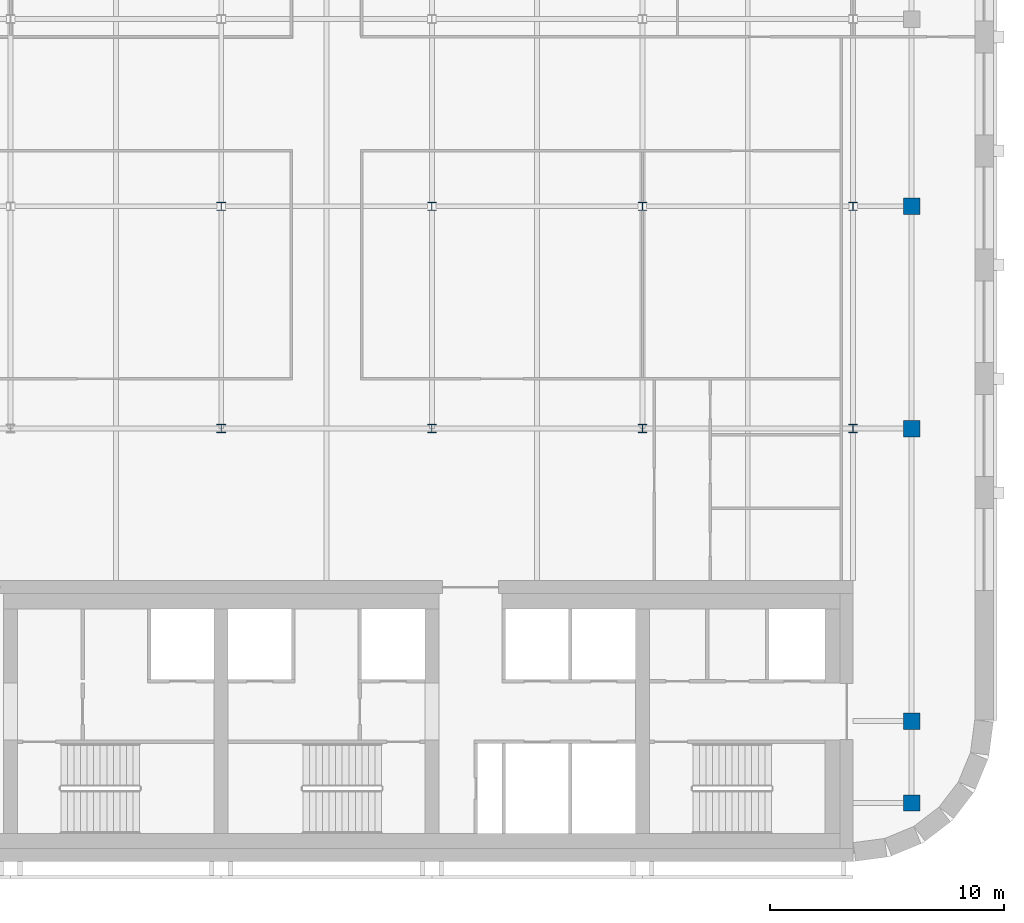
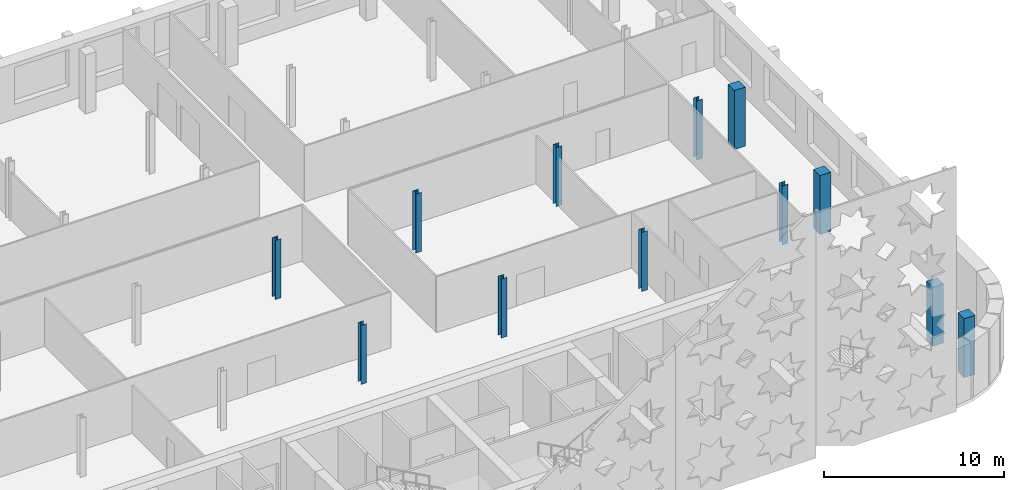
# One storey, part 2 of 14: 12 columns.
"""IFC4 building model written with IfcOpenShell, lengths in metres."""

from ifc_helpers import new_model, si_unit, direction, frame, origin, origin_2d, place, context, subcontext, project, spatial, rectangle, i_section, extrude, material, material_profile, profile_set, type_object, element, save


model = new_model("IFC4")

# Units and contexts
model_context = context("Model", 3, precision=1e-05, world=origin(), true_north=direction((0.0, 1.0)))
body_context = subcontext(model_context, "Body", "Model", "MODEL_VIEW")
ifc_project = project(units=[si_unit("LENGTHUNIT", "METRE"), si_unit("AREAUNIT", "SQUARE_METRE"), si_unit("VOLUMEUNIT", "CUBIC_METRE"), si_unit("PLANEANGLEUNIT", "RADIAN"), si_unit("MASSUNIT", "GRAM", prefix="KILO")], contexts=[model_context])

# Site, building, storey
site_placement = place(None, origin())
site = spatial("IfcSite", under=ifc_project, at=site_placement, CompositionType="ELEMENT")
building_placement = place(site_placement, origin())
building = spatial("IfcBuilding", under=site, at=building_placement, Name="Zellij Exchange Tower", CompositionType="ELEMENT")
storey_placement = place(building_placement, frame((0.0, 0.0, 288.5)))
storey = spatial("IfcBuildingStorey", under=building, at=storey_placement, Name="L68", CompositionType="ELEMENT", Elevation=288.5)

# Columns
ifc_material_1 = material(Name="Concrete C50/60", Category="concrete")
ifc_material_profile_1 = material_profile(ifc_material_1, rectangle(XDim=0.699951171875, YDim=0.699951171875, at=origin_2d()), Name="STR-COLUMN RC700x700 C50/60")
ifc_profile_set_1 = profile_set([ifc_material_profile_1], Name="Concrete C50/60")
column_type_1 = type_object("IfcColumnType", Name="STR-COLUMN RC700x700 C50/60", PredefinedType="COLUMN", material=ifc_profile_set_1)
for number, where, z_axis, x_axis, name in (
    (1, (29.5, -11.5, 0.0), (0.0, 0.0, 1.0), (1.0, 0.0, 0.0), "C14"),
    (2, (29.5, -8.0, 0.0), (0.0, 0.0, 1.0), (1.0, 0.0, 0.0), "C14"),
    (3, (29.5, 4.5, 0.0), (0.0, 0.0, 1.0), (1.0, 0.0, 0.0), "C14"),
    (4, (29.5, 14.0, 0.0), (0.0, 0.0, 1.0), (1.0, 0.0, 0.0), "C14"),
):
    element("IfcColumn", number, at=place(storey_placement, frame(where, z_axis=z_axis, x_axis=x_axis)), inside=storey, type_object=column_type_1, Name=name, PredefinedType="COLUMN", context=body_context, shape_type="SweptSolid", body=[
        extrude(rectangle(XDim=0.699951171875, YDim=0.699951171875, at=origin_2d()), origin(), (0.0, 0.0, 1.0), 4.0),
    ])
ifc_material_2 = material(Name="Structural steel ASTM A992 Gr 50", Category="steel")
ifc_material_profile_2 = material_profile(ifc_material_2, i_section(OverallWidth=0.368408203125, OverallDepth=0.355712890625, WebThickness=0.01123046875, FlangeThickness=0.01806640625, at=origin_2d()), Name="W14x90")
ifc_profile_set_2 = profile_set([ifc_material_profile_2], Name="Structural steel ASTM A992 Gr 50")
column_type_2 = type_object("IfcColumnType", Name="STR-COLUMN W14x90", PredefinedType="COLUMN", material=ifc_profile_set_2)
for number, where, z_axis, x_axis, name in (
    (5, (0.0, 4.5, 0.0), (0.0, 0.0, 1.0), (1.0, 0.0, 0.0), "C8"),
    (6, (9.0, 4.5, 0.0), (0.0, 0.0, 1.0), (1.0, 0.0, 0.0), "C8"),
    (7, (18.0, 4.5, 0.0), (0.0, 0.0, 1.0), (1.0, 0.0, 0.0), "C8"),
    (8, (27.0, 4.5, 0.0), (0.0, 0.0, 1.0), (1.0, 0.0, 0.0), "C8"),
    (9, (0.0, 14.0, 0.0), (0.0, 0.0, 1.0), (1.0, 0.0, 0.0), "C8"),
    (10, (9.0, 14.0, 0.0), (0.0, 0.0, 1.0), (1.0, 0.0, 0.0), "C8"),
    (11, (18.0, 14.0, 0.0), (0.0, 0.0, 1.0), (1.0, 0.0, 0.0), "C8"),
    (12, (27.0, 14.0, 0.0), (0.0, 0.0, 1.0), (1.0, 0.0, 0.0), "C8"),
):
    element("IfcColumn", number, at=place(storey_placement, frame(where, z_axis=z_axis, x_axis=x_axis)), inside=storey, type_object=column_type_2, Name=name, PredefinedType="COLUMN", context=body_context, shape_type="SweptSolid", body=[
        extrude(i_section(OverallWidth=0.368408203125, OverallDepth=0.355712890625, WebThickness=0.01123046875, FlangeThickness=0.01806640625, at=origin_2d()), origin(), (0.0, 0.0, 1.0), 4.0),
    ])

save(model, "model.ifc")
